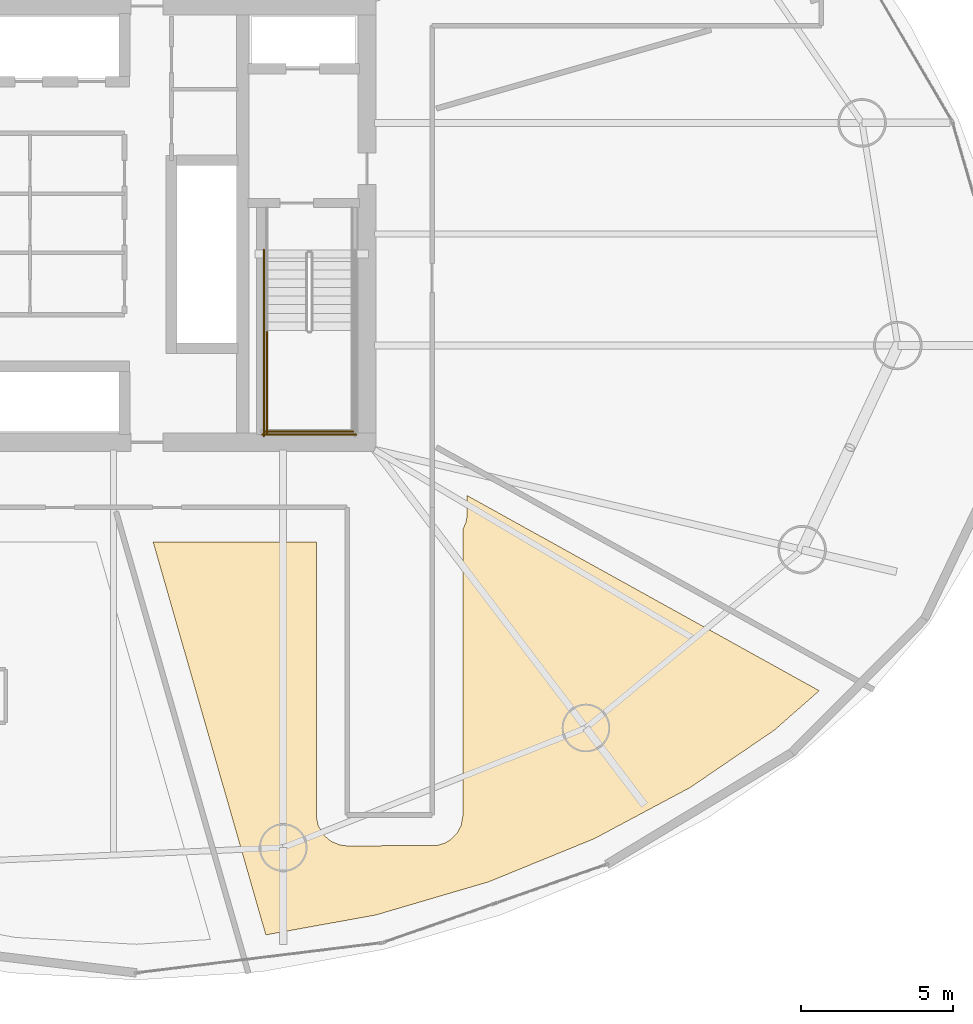
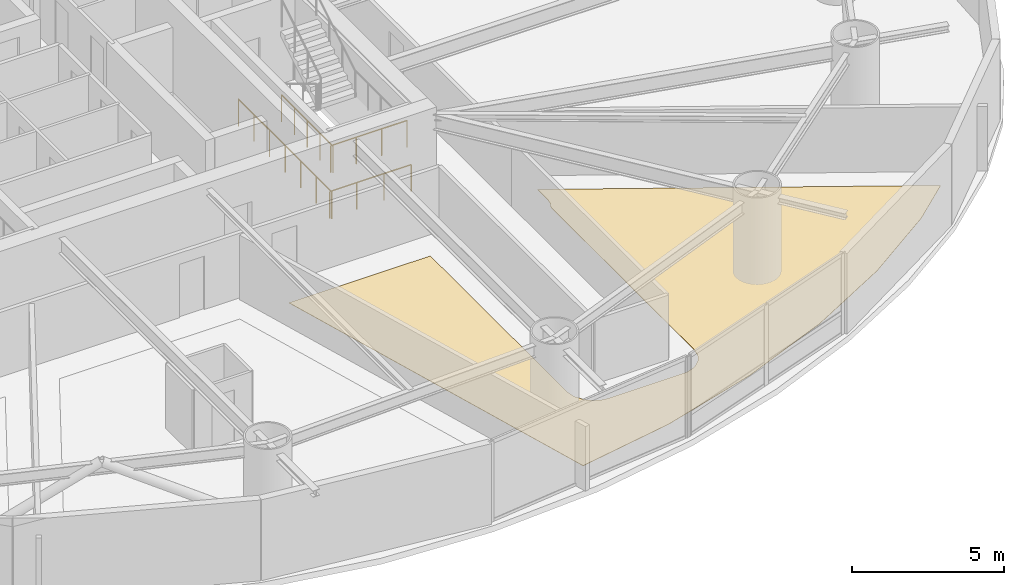
# One storey, part 28 of 30: 4 railings, 1 covering.
"""IFC4 building model written with IfcOpenShell, lengths in metres."""

from ifc_helpers import new_model, si_unit, direction, frame, origin, origin_2d, place, context, subcontext, project, spatial, polyline, circle, outline, extrude, material, layer, layer_set, type_object, element, save


model = new_model("IFC4")

# Units and contexts
model_context = context("Model", 3, precision=1e-05, world=origin(), true_north=direction((0.0, 1.0)))
body_context = subcontext(model_context, "Body", "Model", "MODEL_VIEW")
ifc_project = project(units=[si_unit("LENGTHUNIT", "METRE"), si_unit("AREAUNIT", "SQUARE_METRE"), si_unit("VOLUMEUNIT", "CUBIC_METRE"), si_unit("PLANEANGLEUNIT", "RADIAN"), si_unit("MASSUNIT", "GRAM", prefix="KILO")], contexts=[model_context])

# Site, building, storey
site_placement = place(None, origin())
site = spatial("IfcSite", under=ifc_project, at=site_placement, CompositionType="ELEMENT")
building_placement = place(site_placement, origin())
building = spatial("IfcBuilding", under=site, at=building_placement, Name="Bramvorn Convention Spire", CompositionType="ELEMENT")
storey_placement = place(building_placement, frame((0.0, 0.0, 90.39990234375)))
storey = spatial("IfcBuildingStorey", under=building, at=storey_placement, Name="L21", CompositionType="ELEMENT", Elevation=90.39990234375)

# Covering
ifc_material_1 = material(Name="Solution-Dyed Wool Broadloom Hospitality Carpet", Category="textile")
ifc_layer = layer(ifc_material_1, 0.014892578125)
ifc_layer_set = layer_set([ifc_layer], Name="Solution-Dyed Wool Broadloom Hospitality Carpet - FLR-CARPET-15")
covering_type = type_object("IfcCoveringType", Name="FLR-CARPET-15", PredefinedType="FLOORING", material=ifc_layer_set)
covering_placement = place(storey_placement, origin())
element("IfcCovering", 1, at=covering_placement, inside=storey, type_object=covering_type, Name="Hotel Suite 2107 wool broadloom carpet", PredefinedType="FLOORING", context=body_context, shape_type="SweptSolid", body=[
    extrude(outline(polyline([(49.28759765625, 3.197998046875), (53.021728515625, 4.294921875), (56.507568359375, 5.719970703125), (59.67041015625, 7.407958984375), (62.445068359375, 9.30029296875), (63.92578125, 10.60009765625), (52.300048828125, 17.04443359375), (52.295654296875, 16.311767578125), (52.26123046875, 16.138671875), (52.169921875, 15.936279296875), (52.169921875, 6.5), (52.1083984375, 6.15087890625), (51.97265625, 5.897216796875), (51.76220703125, 5.684326171875), (51.580810546875, 5.575439453125), (51.305419921875, 5.491943359375), (48.35009765625, 5.47998046875), (48.10791015625, 5.50927734375), (47.820556640625, 5.62841796875), (47.59033203125, 5.819580078125), (47.3916015625, 6.15087890625), (47.331787109375, 6.444091796875), (47.330078125, 15.5), (41.947021484375, 15.5), (45.66259765625, 2.542724609375), (49.28759765625, 3.197998046875)])), origin(), (0.0, 0.0, 1.0), 0.01513671875),
])

# Railings
ifc_material_2 = material(Name="Painted Steel Balustrade & Guardrail", Category="steel")
railing_type = type_object("IfcRailingType", Name="RL-STAIR-GUARD-1100", PredefinedType="GUARDRAIL", material=ifc_material_2)
railing_1_placement = place(storey_placement, frame((45.699951171875, 22.485107421875, 1.75)))
element("IfcRailing", 2, at=railing_1_placement, inside=storey, type_object=railing_type, Name="L21 ST2 stair guard 3", PredefinedType="GUARDRAIL", context=body_context, shape_type="SweptSolid", body=[
    extrude(circle(Radius=0.02392578125, at=origin_2d()), frame((0.0, 0.0, 1.076171875), z_axis=(0.0, -1.0, 0.0), x_axis=(1.0, 0.0, 0.0)), (0.0, 0.0, 1.0), 3.385009765625),
    extrude(circle(Radius=0.02099609375, at=origin_2d()), origin(), (0.0, 0.0, 1.0), 1.052001953125),
    extrude(circle(Radius=0.02099609375, at=origin_2d()), frame((0.0, -0.84619140625, 0.0)), (0.0, 0.0, 1.0), 1.052001953125),
    extrude(circle(Radius=0.02099609375, at=origin_2d()), frame((0.0, -1.6923828125, 0.0)), (0.0, 0.0, 1.0), 1.052001953125),
    extrude(circle(Radius=0.02099609375, at=origin_2d()), frame((0.0, -2.538818359375, 0.0)), (0.0, 0.0, 1.0), 1.052001953125),
    extrude(circle(Radius=0.02099609375, at=origin_2d()), frame((0.0, -3.385009765625, 0.0)), (0.0, 0.0, 1.0), 1.052001953125),
])
railing_2_placement = place(storey_placement, frame((45.64990234375, 19.14990234375, 1.75)))
element("IfcRailing", 3, at=railing_2_placement, inside=storey, type_object=railing_type, Name="L21 ST2 stair guard 5", PredefinedType="GUARDRAIL", context=body_context, shape_type="SweptSolid", body=[
    extrude(circle(Radius=0.02392578125, at=origin_2d()), frame((0.0, 0.0, 1.076171875), z_axis=(1.0, 0.0, 0.0), x_axis=(0.0, 1.0, 0.0)), (0.0, 0.0, 1.0), 2.900146484375),
    extrude(circle(Radius=0.02099609375, at=origin_2d()), origin(), (0.0, 0.0, 1.0), 1.052001953125),
    extrude(circle(Radius=0.02099609375, at=origin_2d()), frame((0.966796875, 0.0, 0.0)), (0.0, 0.0, 1.0), 1.052001953125),
    extrude(circle(Radius=0.02099609375, at=origin_2d()), frame((1.933349609375, 0.0, 0.0)), (0.0, 0.0, 1.0), 1.052001953125),
    extrude(circle(Radius=0.02099609375, at=origin_2d()), frame((2.900146484375, 0.0, 0.0)), (0.0, 0.0, 1.0), 1.052001953125),
])
railing_3_placement = place(storey_placement, frame((45.60009765625, 25.14990234375, 0.0)))
element("IfcRailing", 4, at=railing_3_placement, inside=storey, type_object=railing_type, Name="L21 ST2 stair guard 10", PredefinedType="GUARDRAIL", context=body_context, shape_type="SweptSolid", body=[
    extrude(circle(Radius=0.02392578125, at=origin_2d()), frame((0.0, 0.0, 1.076171875), z_axis=(0.0, -1.0, 0.0), x_axis=(1.0, 0.0, 0.0)), (0.0, 0.0, 1.0), 6.14990234375),
    extrude(circle(Radius=0.02099609375, at=origin_2d()), origin(), (0.0, 0.0, 1.0), 1.052001953125),
    extrude(circle(Radius=0.02099609375, at=origin_2d()), frame((0.0, -1.02490234375, 0.0)), (0.0, 0.0, 1.0), 1.052001953125),
    extrude(circle(Radius=0.02099609375, at=origin_2d()), frame((0.0, -2.050048828125, 0.0)), (0.0, 0.0, 1.0), 1.052001953125),
    extrude(circle(Radius=0.02099609375, at=origin_2d()), frame((0.0, -3.074951171875, 0.0)), (0.0, 0.0, 1.0), 1.052001953125),
    extrude(circle(Radius=0.02099609375, at=origin_2d()), frame((0.0, -4.099853515625, 0.0)), (0.0, 0.0, 1.0), 1.052001953125),
    extrude(circle(Radius=0.02099609375, at=origin_2d()), frame((0.0, -5.125, 0.0)), (0.0, 0.0, 1.0), 1.052001953125),
    extrude(circle(Radius=0.02099609375, at=origin_2d()), frame((0.0, -6.14990234375, 0.0)), (0.0, 0.0, 1.0), 1.052001953125),
])
railing_4_placement = place(storey_placement, frame((45.550048828125, 19.050048828125, 0.0)))
element("IfcRailing", 5, at=railing_4_placement, inside=storey, type_object=railing_type, Name="L21 ST2 stair guard 12", PredefinedType="GUARDRAIL", context=body_context, shape_type="SweptSolid", body=[
    extrude(circle(Radius=0.02392578125, at=origin_2d()), frame((0.0, 0.0, 1.076171875), z_axis=(1.0, 0.0, 0.0), x_axis=(0.0, 1.0, 0.0)), (0.0, 0.0, 1.0), 3.099853515625),
    extrude(circle(Radius=0.02099609375, at=origin_2d()), origin(), (0.0, 0.0, 1.0), 1.052001953125),
    extrude(circle(Radius=0.02099609375, at=origin_2d()), frame((1.033203125, 0.0, 0.0)), (0.0, 0.0, 1.0), 1.052001953125),
    extrude(circle(Radius=0.02099609375, at=origin_2d()), frame((2.066650390625, 0.0, 0.0)), (0.0, 0.0, 1.0), 1.052001953125),
    extrude(circle(Radius=0.02099609375, at=origin_2d()), frame((3.099853515625, 0.0, 0.0)), (0.0, 0.0, 1.0), 1.052001953125),
])

save(model, "model.ifc")
